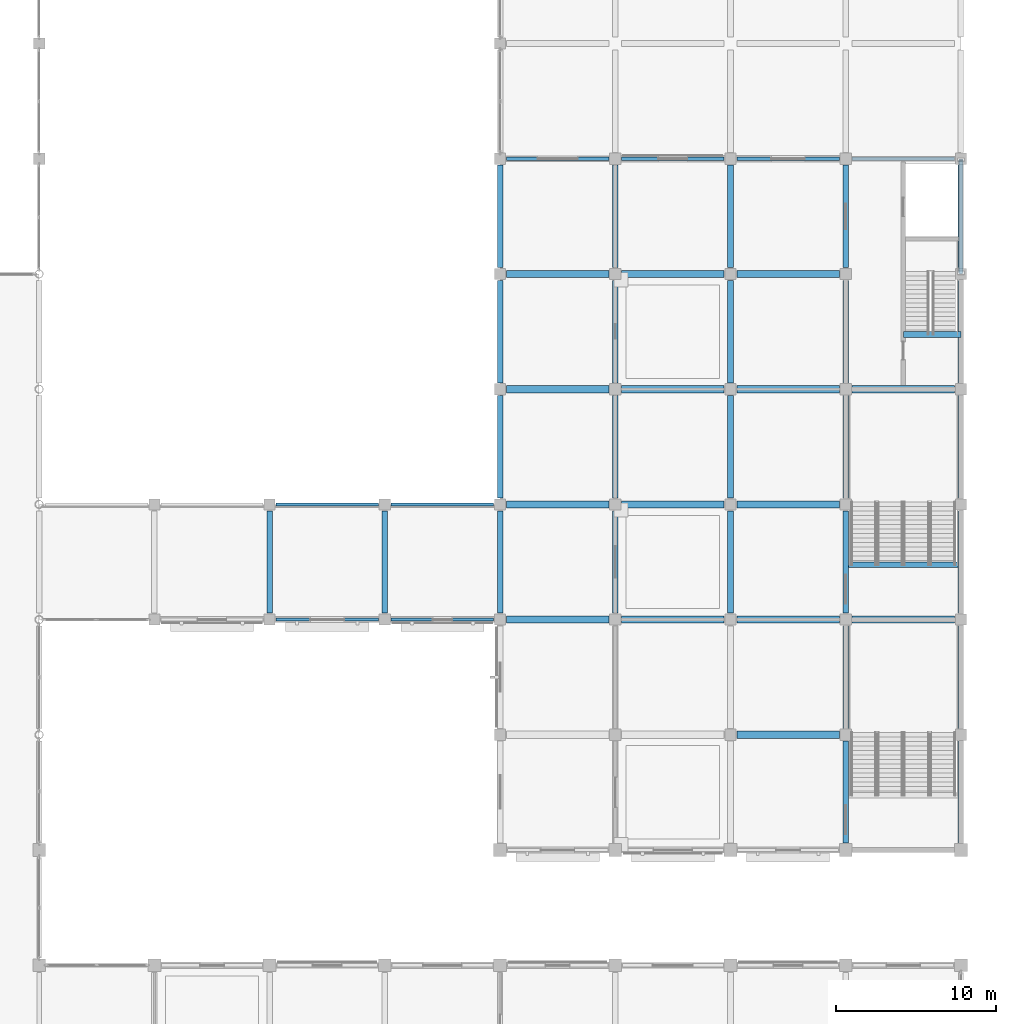
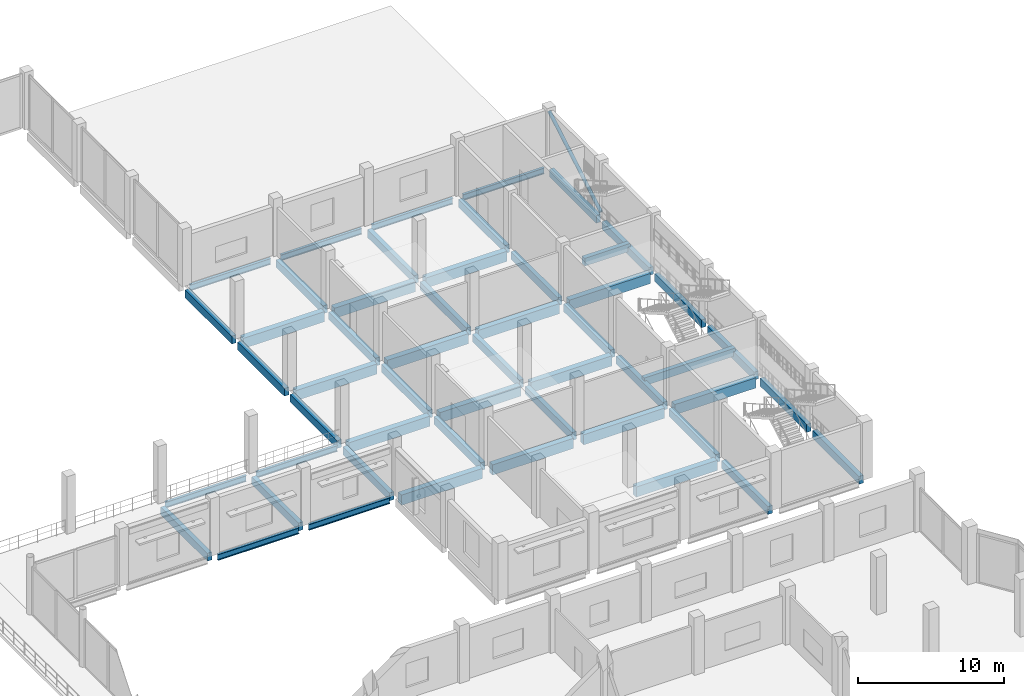
# One storey, part 51 of 99: 51 beams, 1 member.
"""IFC4 building model written with IfcOpenShell, lengths in metres."""

from ifc_helpers import new_model, si_unit, direction, frame, origin, origin_2d, place, context, subcontext, project, spatial, rectangle, hollow_circle, i_section, extrude, material, material_profile, profile_set, type_object, element, save


model = new_model("IFC4")

# Units and contexts
model_context = context("Model", 3, precision=1e-05, world=origin(), true_north=direction((0.0, 1.0)))
body_context = subcontext(model_context, "Body", "Model", "MODEL_VIEW")
ifc_project = project(units=[si_unit("LENGTHUNIT", "METRE"), si_unit("AREAUNIT", "SQUARE_METRE"), si_unit("VOLUMEUNIT", "CUBIC_METRE"), si_unit("PLANEANGLEUNIT", "RADIAN"), si_unit("MASSUNIT", "GRAM", prefix="KILO")], contexts=[model_context])

# Site, building, storey
site_placement = place(None, origin())
site = spatial("IfcSite", under=ifc_project, at=site_placement, CompositionType="ELEMENT")
building_placement = place(site_placement, origin())
building = spatial("IfcBuilding", under=site, at=building_placement, Name="Vesperath Aquatics Centre", CompositionType="ELEMENT")
storey_placement = place(building_placement, frame((0.0, 0.0, 5.39990234375)))
storey = spatial("IfcBuildingStorey", under=building, at=storey_placement, Name="L01", CompositionType="ELEMENT", Elevation=5.39990234375)

# Beams
ifc_material_1 = material(Name="Concrete C35", Category="concrete")
ifc_material_profile_1 = material_profile(ifc_material_1, rectangle(XDim=0.449951171875, YDim=0.85009765625, at=origin_2d()), Name="RC 450x850")
ifc_profile_set_1 = profile_set([ifc_material_profile_1], Name="Concrete C35")
beam_type_1 = type_object("IfcBeamType", Name="BM-G03", PredefinedType="BEAM", material=ifc_profile_set_1)
for number, where, z_axis, x_axis, name in (
    (1, (144.39990234375, 64.800048828125, -0.684814453125), (1.0, 0.0, 0.0), (0.0, 1.0, 0.0), "Floor Girder B03 L01 K 21-22"),
    (2, (144.39990234375, 72.0, -0.684814453125), (1.0, 0.0, 0.0), (0.0, 1.0, 0.0), "Floor Girder B03 L01 L 21-22"),
    (3, (144.39990234375, 79.199951171875, -0.684814453125), (1.0, 0.0, 0.0), (0.0, 1.0, 0.0), "Floor Girder B03 L01 M 21-22"),
    (4, (144.39990234375, 86.39990234375, -0.684814453125), (1.0, 0.0, 0.0), (0.0, 1.0, 0.0), "Floor Girder B03 L01 N 21-22"),
):
    element("IfcBeam", number, at=place(storey_placement, frame(where, z_axis=z_axis, x_axis=x_axis)), inside=storey, type_object=beam_type_1, Name=name, PredefinedType="BEAM", context=body_context, shape_type="SweptSolid", body=[
        extrude(rectangle(XDim=0.449951171875, YDim=0.85009765625, at=origin_2d()), origin(), (0.0, 0.0, 1.0), 6.400146484375),
    ])
for number, where, z_axis, x_axis, name in (
    (5, (151.60009765625, 64.800048828125, -0.684814453125), (1.0, 0.0, 0.0), (0.0, 1.0, 0.0), "Floor Girder B03 L01 K 22-23"),
    (6, (151.60009765625, 72.0, -0.684814453125), (1.0, 0.0, 0.0), (0.0, 1.0, 0.0), "Floor Girder B03 L01 L 22-23"),
    (7, (151.60009765625, 79.199951171875, -0.684814453125), (1.0, 0.0, 0.0), (0.0, 1.0, 0.0), "Floor Girder B03 L01 M 22-23"),
    (8, (151.60009765625, 86.39990234375, -0.684814453125), (1.0, 0.0, 0.0), (0.0, 1.0, 0.0), "Floor Girder B03 L01 N 22-23"),
    (9, (158.800048828125, 57.60009765625, -0.684814453125), (1.0, 0.0, 0.0), (0.0, 1.0, 0.0), "Floor Girder B03 L01 J 23-24"),
    (10, (158.800048828125, 64.800048828125, -0.684814453125), (1.0, 0.0, 0.0), (0.0, 1.0, 0.0), "Floor Girder B03 L01 K 23-24"),
    (11, (158.800048828125, 72.0, -0.684814453125), (1.0, 0.0, 0.0), (0.0, 1.0, 0.0), "Floor Girder B03 L01 L 23-24"),
    (12, (158.800048828125, 79.199951171875, -0.684814453125), (1.0, 0.0, 0.0), (0.0, 1.0, 0.0), "Floor Girder B03 L01 M 23-24"),
    (13, (158.800048828125, 86.39990234375, -0.684814453125), (1.0, 0.0, 0.0), (0.0, 1.0, 0.0), "Floor Girder B03 L01 N 23-24"),
    (14, (166.0, 64.800048828125, -0.684814453125), (1.0, 0.0, 0.0), (0.0, 1.0, 0.0), "Floor Girder B03 L01 K 24-25"),
    (15, (166.0, 79.199951171875, -0.684814453125), (1.0, 0.0, 0.0), (0.0, 1.0, 0.0), "Floor Girder B03 L01 M 24-25"),
):
    element("IfcBeam", number, at=place(storey_placement, frame(where, z_axis=z_axis, x_axis=x_axis)), inside=storey, type_object=beam_type_1, Name=name, PredefinedType="BEAM", context=body_context, shape_type="SweptSolid", body=[
        extrude(rectangle(XDim=0.449951171875, YDim=0.85009765625, at=origin_2d()), origin(), (0.0, 0.0, 1.0), 6.39990234375),
    ])
ifc_material_profile_2 = material_profile(ifc_material_1, rectangle(XDim=0.35009765625, YDim=0.64990234375, at=origin_2d()), Name="RC 350x650")
ifc_profile_set_2 = profile_set([ifc_material_profile_2], Name="Concrete C35")
beam_type_2 = type_object("IfcBeamType", Name="BM-G05", PredefinedType="BEAM", material=ifc_profile_set_2)
for number, where, z_axis, x_axis, name in (
    (16, (129.60009765625, 65.199951171875, -0.5849609375), (0.0, 1.0, 0.0), (-1.0, 0.0, 0.0), "Floor Girder B05 L01 19 K-L"),
    (17, (136.800048828125, 65.199951171875, -0.5849609375), (0.0, 1.0, 0.0), (-1.0, 0.0, 0.0), "Floor Girder B05 L01 20 K-L"),
    (18, (144.0, 65.199951171875, -0.5849609375), (0.0, 1.0, 0.0), (-1.0, 0.0, 0.0), "Floor Girder B05 L01 21 K-L"),
    (19, (144.0, 72.39990234375, -0.5849609375), (0.0, 1.0, 0.0), (-1.0, 0.0, 0.0), "Floor Girder B05 L01 21 L-M"),
):
    element("IfcBeam", number, at=place(storey_placement, frame(where, z_axis=z_axis, x_axis=x_axis)), inside=storey, type_object=beam_type_2, Name=name, PredefinedType="BEAM", context=body_context, shape_type="SweptSolid", body=[
        extrude(rectangle(XDim=0.35009765625, YDim=0.64990234375, at=origin_2d()), origin(), (0.0, 0.0, 1.0), 6.400146484375),
    ])
for number, where, z_axis, x_axis, name in (
    (20, (144.0, 79.60009765625, -0.5849609375), (0.0, 1.0, 0.0), (-1.0, 0.0, 0.0), "Floor Girder B05 L01 21 M-N"),
    (21, (144.0, 86.800048828125, -0.5849609375), (0.0, 1.0, 0.0), (-1.0, 0.0, 0.0), "Floor Girder B05 L01 21 N-P"),
):
    element("IfcBeam", number, at=place(storey_placement, frame(where, z_axis=z_axis, x_axis=x_axis)), inside=storey, type_object=beam_type_2, Name=name, PredefinedType="BEAM", context=body_context, shape_type="SweptSolid", body=[
        extrude(rectangle(XDim=0.35009765625, YDim=0.64990234375, at=origin_2d()), origin(), (0.0, 0.0, 1.0), 6.39990234375),
    ])
for number, where, z_axis, x_axis, name in (
    (22, (151.199951171875, 65.199951171875, -0.5849609375), (0.0, 1.0, 0.0), (-1.0, 0.0, 0.0), "Floor Girder B05 L01 22 K-L"),
    (23, (151.199951171875, 72.39990234375, -0.5849609375), (0.0, 1.0, 0.0), (-1.0, 0.0, 0.0), "Floor Girder B05 L01 22 L-M"),
):
    element("IfcBeam", number, at=place(storey_placement, frame(where, z_axis=z_axis, x_axis=x_axis)), inside=storey, type_object=beam_type_2, Name=name, PredefinedType="BEAM", context=body_context, shape_type="SweptSolid", body=[
        extrude(rectangle(XDim=0.35009765625, YDim=0.64990234375, at=origin_2d()), origin(), (0.0, 0.0, 1.0), 6.400146484375),
    ])
for number, where, z_axis, x_axis, name in (
    (24, (151.199951171875, 79.60009765625, -0.5849609375), (0.0, 1.0, 0.0), (-1.0, 0.0, 0.0), "Floor Girder B05 L01 22 M-N"),
    (25, (151.199951171875, 86.800048828125, -0.5849609375), (0.0, 1.0, 0.0), (-1.0, 0.0, 0.0), "Floor Girder B05 L01 22 N-P"),
):
    element("IfcBeam", number, at=place(storey_placement, frame(where, z_axis=z_axis, x_axis=x_axis)), inside=storey, type_object=beam_type_2, Name=name, PredefinedType="BEAM", context=body_context, shape_type="SweptSolid", body=[
        extrude(rectangle(XDim=0.35009765625, YDim=0.64990234375, at=origin_2d()), origin(), (0.0, 0.0, 1.0), 6.39990234375),
    ])
for number, where, z_axis, x_axis, name in (
    (26, (158.39990234375, 65.199951171875, -0.5849609375), (0.0, 1.0, 0.0), (-1.0, 0.0, 0.0), "Floor Girder B05 L01 23 K-L"),
    (27, (158.39990234375, 72.39990234375, -0.5849609375), (0.0, 1.0, 0.0), (-1.0, 0.0, 0.0), "Floor Girder B05 L01 23 L-M"),
):
    element("IfcBeam", number, at=place(storey_placement, frame(where, z_axis=z_axis, x_axis=x_axis)), inside=storey, type_object=beam_type_2, Name=name, PredefinedType="BEAM", context=body_context, shape_type="SweptSolid", body=[
        extrude(rectangle(XDim=0.35009765625, YDim=0.64990234375, at=origin_2d()), origin(), (0.0, 0.0, 1.0), 6.400146484375),
    ])
for number, where, z_axis, x_axis, name in (
    (28, (158.39990234375, 79.60009765625, -0.5849609375), (0.0, 1.0, 0.0), (-1.0, 0.0, 0.0), "Floor Girder B05 L01 23 M-N"),
    (29, (158.39990234375, 86.800048828125, -0.5849609375), (0.0, 1.0, 0.0), (-1.0, 0.0, 0.0), "Floor Girder B05 L01 23 N-P"),
):
    element("IfcBeam", number, at=place(storey_placement, frame(where, z_axis=z_axis, x_axis=x_axis)), inside=storey, type_object=beam_type_2, Name=name, PredefinedType="BEAM", context=body_context, shape_type="SweptSolid", body=[
        extrude(rectangle(XDim=0.35009765625, YDim=0.64990234375, at=origin_2d()), origin(), (0.0, 0.0, 1.0), 6.39990234375),
    ])
beam_1_placement = place(storey_placement, frame((165.60009765625, 50.85009765625, -0.5849609375), z_axis=(0.0, 1.0, 0.0), x_axis=(-1.0, 0.0, 0.0)))
element("IfcBeam", 30, at=beam_1_placement, inside=storey, type_object=beam_type_2, Name="Floor Girder B05 L01 24 H-J", PredefinedType="BEAM", context=body_context, shape_type="SweptSolid", body=[
    extrude(rectangle(XDim=0.35009765625, YDim=0.64990234375, at=origin_2d()), origin(), (0.0, 0.0, 1.0), 6.349853515625),
])
beam_2_placement = place(storey_placement, frame((165.60009765625, 58.0, -0.5849609375), z_axis=(0.0, 1.0, 0.0), x_axis=(-1.0, 0.0, 0.0)))
element("IfcBeam", 31, at=beam_2_placement, inside=storey, type_object=beam_type_2, Name="Floor Girder B05 L01 24 J-K", PredefinedType="BEAM", context=body_context, shape_type="SweptSolid", body=[
    extrude(rectangle(XDim=0.35009765625, YDim=0.64990234375, at=origin_2d()), origin(), (0.0, 0.0, 1.0), 6.39990234375),
])
for number, where, z_axis, x_axis, name in (
    (32, (165.60009765625, 65.199951171875, -0.5849609375), (0.0, 1.0, 0.0), (-1.0, 0.0, 0.0), "Floor Girder B05 L01 24 K-L"),
    (33, (165.60009765625, 72.39990234375, -0.5849609375), (0.0, 1.0, 0.0), (-1.0, 0.0, 0.0), "Floor Girder B05 L01 24 L-M"),
):
    element("IfcBeam", number, at=place(storey_placement, frame(where, z_axis=z_axis, x_axis=x_axis)), inside=storey, type_object=beam_type_2, Name=name, PredefinedType="BEAM", context=body_context, shape_type="SweptSolid", body=[
        extrude(rectangle(XDim=0.35009765625, YDim=0.64990234375, at=origin_2d()), origin(), (0.0, 0.0, 1.0), 6.400146484375),
    ])
for number, where, z_axis, x_axis, name in (
    (34, (165.60009765625, 79.60009765625, -0.5849609375), (0.0, 1.0, 0.0), (-1.0, 0.0, 0.0), "Floor Girder B05 L01 24 M-N"),
    (35, (165.60009765625, 86.800048828125, -0.5849609375), (0.0, 1.0, 0.0), (-1.0, 0.0, 0.0), "Floor Girder B05 L01 24 N-P"),
):
    element("IfcBeam", number, at=place(storey_placement, frame(where, z_axis=z_axis, x_axis=x_axis)), inside=storey, type_object=beam_type_2, Name=name, PredefinedType="BEAM", context=body_context, shape_type="SweptSolid", body=[
        extrude(rectangle(XDim=0.35009765625, YDim=0.64990234375, at=origin_2d()), origin(), (0.0, 0.0, 1.0), 6.39990234375),
    ])
beam_3_placement = place(storey_placement, frame((172.800048828125, 50.85009765625, -0.5849609375), z_axis=(0.0, 1.0, 0.0), x_axis=(-1.0, 0.0, 0.0)))
element("IfcBeam", 36, at=beam_3_placement, inside=storey, type_object=beam_type_2, Name="Floor Girder B05 L01 25 H-J", PredefinedType="BEAM", context=body_context, shape_type="SweptSolid", body=[
    extrude(rectangle(XDim=0.35009765625, YDim=0.64990234375, at=origin_2d()), origin(), (0.0, 0.0, 1.0), 6.349853515625),
])
beam_4_placement = place(storey_placement, frame((172.800048828125, 58.0, -0.5849609375), z_axis=(0.0, 1.0, 0.0), x_axis=(-1.0, 0.0, 0.0)))
element("IfcBeam", 37, at=beam_4_placement, inside=storey, type_object=beam_type_2, Name="Floor Girder B05 L01 25 J-K", PredefinedType="BEAM", context=body_context, shape_type="SweptSolid", body=[
    extrude(rectangle(XDim=0.35009765625, YDim=0.64990234375, at=origin_2d()), origin(), (0.0, 0.0, 1.0), 6.39990234375),
])
for number, where, z_axis, x_axis, name in (
    (38, (172.800048828125, 65.199951171875, -0.5849609375), (0.0, 1.0, 0.0), (-1.0, 0.0, 0.0), "Floor Girder B05 L01 25 K-L"),
    (39, (172.800048828125, 72.39990234375, -0.5849609375), (0.0, 1.0, 0.0), (-1.0, 0.0, 0.0), "Floor Girder B05 L01 25 L-M"),
):
    element("IfcBeam", number, at=place(storey_placement, frame(where, z_axis=z_axis, x_axis=x_axis)), inside=storey, type_object=beam_type_2, Name=name, PredefinedType="BEAM", context=body_context, shape_type="SweptSolid", body=[
        extrude(rectangle(XDim=0.35009765625, YDim=0.64990234375, at=origin_2d()), origin(), (0.0, 0.0, 1.0), 6.400146484375),
    ])
for number, where, z_axis, x_axis, name in (
    (40, (172.800048828125, 79.60009765625, -0.5849609375), (0.0, 1.0, 0.0), (-1.0, 0.0, 0.0), "Floor Girder B05 L01 25 M-N"),
    (41, (172.800048828125, 86.800048828125, -0.5849609375), (0.0, 1.0, 0.0), (-1.0, 0.0, 0.0), "Floor Girder B05 L01 25 N-P"),
):
    element("IfcBeam", number, at=place(storey_placement, frame(where, z_axis=z_axis, x_axis=x_axis)), inside=storey, type_object=beam_type_2, Name=name, PredefinedType="BEAM", context=body_context, shape_type="SweptSolid", body=[
        extrude(rectangle(XDim=0.35009765625, YDim=0.64990234375, at=origin_2d()), origin(), (0.0, 0.0, 1.0), 6.39990234375),
    ])
beam_5_placement = place(storey_placement, frame((169.199951171875, 82.6201171875, -0.324951171875), z_axis=(1.0, 0.0, 0.0), x_axis=(0.0, 1.0, 0.0)))
element("IfcBeam", 42, at=beam_5_placement, inside=storey, type_object=beam_type_2, Name="Stair ST4 Landing Trimmer Beam B05 L01", PredefinedType="BEAM", context=body_context, shape_type="SweptSolid", body=[
    extrude(rectangle(XDim=0.35009765625, YDim=0.64990234375, at=origin_2d()), origin(), (0.0, 0.0, 1.0), 3.60009765625),
])
beam_6_placement = place(storey_placement, frame((165.60009765625, 68.219970703125, -0.324951171875), z_axis=(1.0, 0.0, 0.0), x_axis=(0.0, 1.0, 0.0)))
element("IfcBeam", 43, at=beam_6_placement, inside=storey, type_object=beam_type_2, Name="Stair ST13 Landing Trimmer Beam B05 L01", PredefinedType="BEAM", context=body_context, shape_type="SweptSolid", body=[
    extrude(rectangle(XDim=0.35009765625, YDim=0.64990234375, at=origin_2d()), origin(), (0.0, 0.0, 1.0), 7.199951171875),
])
ifc_material_2 = material(Name="Steel Q355D", Category="steel")
ifc_material_profile_3 = material_profile(ifc_material_2, i_section(OverallWidth=0.199951171875, OverallDepth=0.5, WebThickness=0.010009765625, FlangeThickness=0.01611328125, FilletRadius=0.02001953125, at=origin_2d()), Name="HN 500x200x10x16")
ifc_profile_set_3 = profile_set([ifc_material_profile_3], Name="Steel Q355D")
beam_type_3 = type_object("IfcBeamType", Name="BM-SP01", PredefinedType="SPANDREL", material=ifc_profile_set_3)
for number, where, z_axis, x_axis, name in (
    (44, (130.0, 64.800048828125, -0.510009765625), (1.0, 0.0, 0.0), (0.0, 1.0, 0.0), "Floor Girder SP01 L01 K 19-20"),
    (45, (130.0, 72.0, -0.510009765625), (1.0, 0.0, 0.0), (0.0, 1.0, 0.0), "Floor Girder SP01 L01 L 19-20"),
):
    element("IfcBeam", number, at=place(storey_placement, frame(where, z_axis=z_axis, x_axis=x_axis)), inside=storey, type_object=beam_type_3, Name=name, PredefinedType="SPANDREL", context=body_context, shape_type="SweptSolid", body=[
        extrude(i_section(OverallWidth=0.199951171875, OverallDepth=0.5, WebThickness=0.010009765625, FlangeThickness=0.01611328125, FilletRadius=0.02001953125, at=origin_2d()), origin(), (0.0, 0.0, 1.0), 6.39990234375),
    ])
for number, where, z_axis, x_axis, name in (
    (46, (137.199951171875, 64.800048828125, -0.510009765625), (1.0, 0.0, 0.0), (0.0, 1.0, 0.0), "Floor Girder SP01 L01 K 20-21"),
    (47, (137.199951171875, 72.0, -0.510009765625), (1.0, 0.0, 0.0), (0.0, 1.0, 0.0), "Floor Girder SP01 L01 L 20-21"),
    (48, (144.39990234375, 93.60009765625, -0.510009765625), (1.0, 0.0, 0.0), (0.0, 1.0, 0.0), "Floor Girder SP01 L01 P 21-22"),
):
    element("IfcBeam", number, at=place(storey_placement, frame(where, z_axis=z_axis, x_axis=x_axis)), inside=storey, type_object=beam_type_3, Name=name, PredefinedType="SPANDREL", context=body_context, shape_type="SweptSolid", body=[
        extrude(i_section(OverallWidth=0.199951171875, OverallDepth=0.5, WebThickness=0.010009765625, FlangeThickness=0.01611328125, FilletRadius=0.02001953125, at=origin_2d()), origin(), (0.0, 0.0, 1.0), 6.400146484375),
    ])
for number, where, z_axis, x_axis, name in (
    (49, (151.60009765625, 93.60009765625, -0.510009765625), (1.0, 0.0, 0.0), (0.0, 1.0, 0.0), "Floor Girder SP01 L01 P 22-23"),
    (50, (158.800048828125, 93.60009765625, -0.510009765625), (1.0, 0.0, 0.0), (0.0, 1.0, 0.0), "Floor Girder SP01 L01 P 23-24"),
    (51, (166.0, 93.60009765625, -0.510009765625), (1.0, 0.0, 0.0), (0.0, 1.0, 0.0), "Floor Girder SP01 L01 P 24-25"),
):
    element("IfcBeam", number, at=place(storey_placement, frame(where, z_axis=z_axis, x_axis=x_axis)), inside=storey, type_object=beam_type_3, Name=name, PredefinedType="SPANDREL", context=body_context, shape_type="SweptSolid", body=[
        extrude(i_section(OverallWidth=0.199951171875, OverallDepth=0.5, WebThickness=0.010009765625, FlangeThickness=0.01611328125, FilletRadius=0.02001953125, at=origin_2d()), origin(), (0.0, 0.0, 1.0), 6.39990234375),
    ])

# Member
ifc_material_profile_4 = material_profile(ifc_material_2, hollow_circle(Radius=0.136474609375, WallThickness=0.011962890625, at=origin_2d()), Name="CHS 273.0x12")
ifc_profile_set_4 = profile_set([ifc_material_profile_4], Name="Steel Q355D")
member_type = type_object("IfcMemberType", Name="MB-TS02", PredefinedType="STRUT", material=ifc_profile_set_4)
member_placement = place(storey_placement, frame((172.800048828125, 86.468994140625, 0.1904296875), z_axis=(0.0, 0.863785399272, 0.50385988529), x_axis=(-1.0, 0.0, 0.0)))
element("IfcMember", 52, at=member_placement, inside=storey, type_object=member_type, Name="Lateral Braced Frame Strut C4_E L01", PredefinedType="STRUT", context=body_context, shape_type="SweptSolid", body=[
    extrude(hollow_circle(Radius=0.136474609375, WallThickness=0.011962890625, at=origin_2d()), origin(), (0.0, 0.0, 1.0), 8.175537109375),
])

save(model, "model.ifc")
